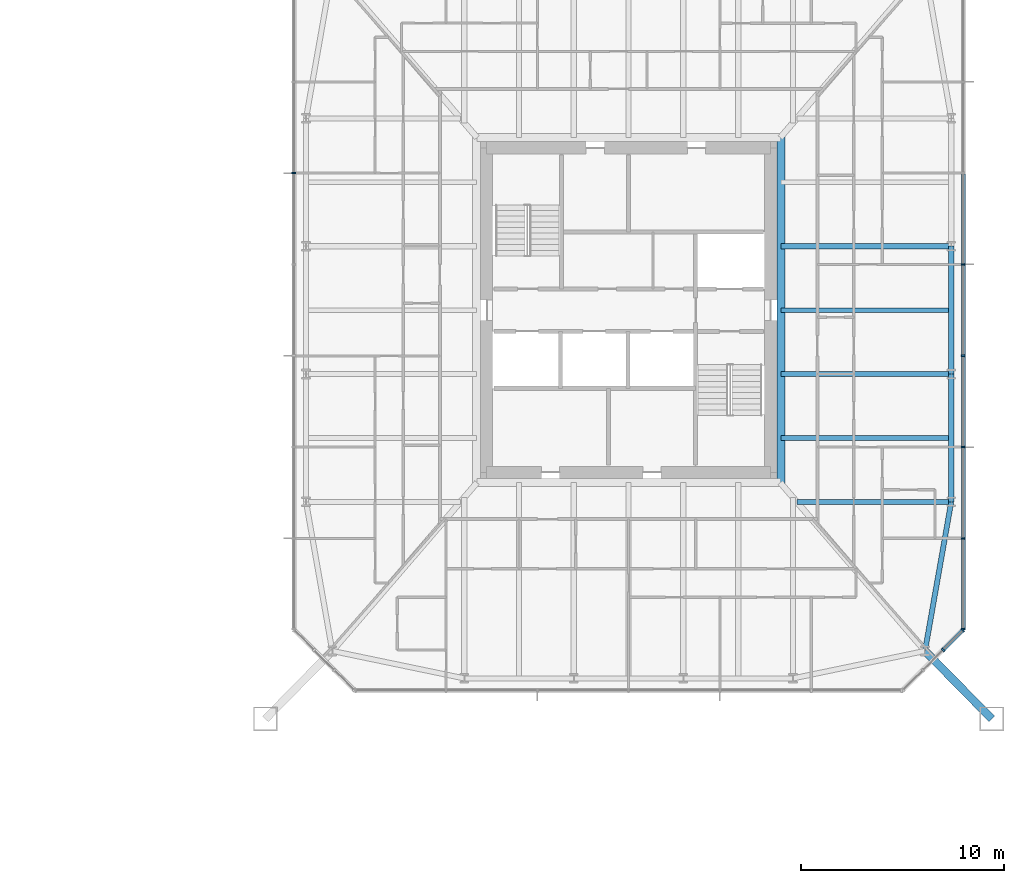
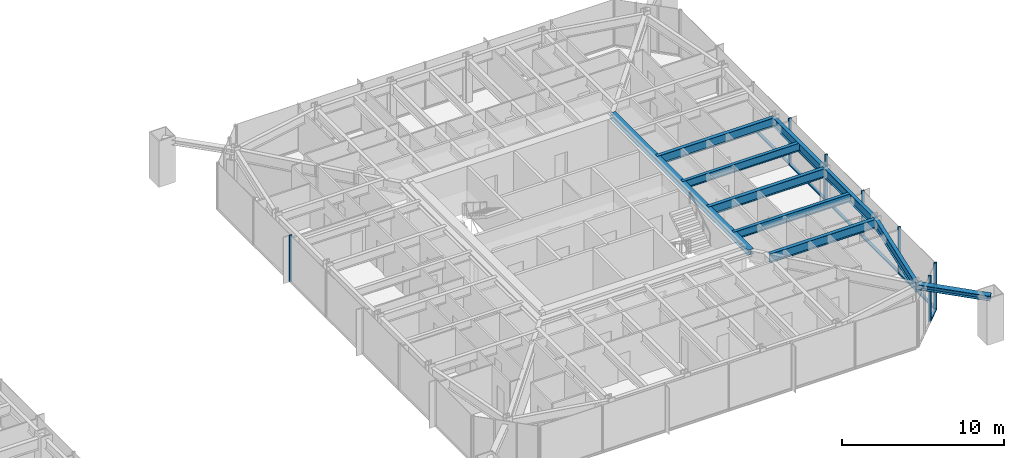
# One storey, part 9 of 26: 15 members, 9 beams, 3 elements without a shape of their own.
"""IFC4 building model written with IfcOpenShell, lengths in metres."""

from ifc_helpers import new_model, si_unit, direction, frame, origin, origin_2d, place, context, subcontext, project, spatial, rectangle, i_section, extrude, material, material_profile, profile_set, type_object, element, aggregate, save


model = new_model("IFC4")

# Units and contexts
model_context = context("Model", 3, precision=1e-05, world=origin(), true_north=direction((0.0, 1.0)))
body_context = subcontext(model_context, "Body", "Model", "MODEL_VIEW")
ifc_project = project(units=[si_unit("LENGTHUNIT", "METRE"), si_unit("AREAUNIT", "SQUARE_METRE"), si_unit("VOLUMEUNIT", "CUBIC_METRE"), si_unit("PLANEANGLEUNIT", "RADIAN"), si_unit("MASSUNIT", "GRAM", prefix="KILO")], contexts=[model_context])

# Site, building, storey
site_placement = place(None, origin())
site = spatial("IfcSite", under=ifc_project, at=site_placement, CompositionType="ELEMENT")
building_placement = place(site_placement, origin())
building = spatial("IfcBuilding", under=site, at=building_placement, Name="Iwan Alto Co-Living Towers", CompositionType="ELEMENT")
storey_placement = place(building_placement, frame((0.0, 0.0, 36.0)))
storey = spatial("IfcBuildingStorey", under=building, at=storey_placement, Name="L09", CompositionType="ELEMENT", Elevation=36.0)

# Curtain wall, members
ifc_material_1 = material(Name="Bronze aluminium unitised frame", Category="aluminium")
curtain_wall_type_1 = type_object("IfcCurtainWallType", Name="CURTAIN WALL CW-C", PredefinedType="NOTDEFINED", material=ifc_material_1)
curtain_wall_1_placement = place(storey_placement, origin())
curtain_wall_1 = element("IfcCurtainWall", 1, at=curtain_wall_1_placement, inside=storey, type_object=curtain_wall_type_1, Name="T2 curtain wall E L09", PredefinedType="NOTDEFINED")
ifc_material_2 = material(Name="Aluminium 6063-T6 bronze anodised", Category="aluminium")
ifc_material_profile_1 = material_profile(ifc_material_2, rectangle(XDim=0.199951171875, YDim=0.080078125, at=origin_2d()), Name="AL 80X200")
ifc_profile_set_1 = profile_set([ifc_material_profile_1], Name="Aluminium 6063-T6 bronze anodised")
member_type_1 = type_object("IfcMemberType", Name="CW-C MULLION 80X200", PredefinedType="MULLION", material=ifc_profile_set_1)
member_1_placement = place(storey_placement, frame((79.5, -15.7099609375, 0.0), z_axis=(0.0, 0.0, 1.0), x_axis=(-1.0, 0.0, 0.0)))
member_1 = element("IfcMember", 2, at=member_1_placement, type_object=member_type_1, Name="CW-C mullion 1", PredefinedType="MULLION", context=body_context, shape_type="SweptSolid", body=[
    extrude(rectangle(XDim=0.199951171875, YDim=0.080078125, at=origin_2d()), origin(), (0.0, 0.0, 1.0), 3.5),
])
member_2_placement = place(storey_placement, frame((79.5, -11.25, 0.0), z_axis=(0.0, 0.0, 1.0), x_axis=(-1.0, 0.0, 0.0)))
member_2 = element("IfcMember", 3, at=member_2_placement, type_object=member_type_1, Name="CW-C mullion 2", PredefinedType="MULLION", context=body_context, shape_type="SweptSolid", body=[
    extrude(rectangle(XDim=0.199951171875, YDim=0.080078125, at=origin_2d()), origin(), (0.0, 0.0, 1.0), 3.5),
])
member_3_placement = place(storey_placement, frame((79.5, -6.75, 0.0), z_axis=(0.0, 0.0, 1.0), x_axis=(-1.0, 0.0, 0.0)))
member_3 = element("IfcMember", 4, at=member_3_placement, type_object=member_type_1, Name="CW-C mullion 3", PredefinedType="MULLION", context=body_context, shape_type="SweptSolid", body=[
    extrude(rectangle(XDim=0.199951171875, YDim=0.080078125, at=origin_2d()), origin(), (0.0, 0.0, 1.0), 3.5),
])
member_4_placement = place(storey_placement, frame((79.5, -2.25, 0.0), z_axis=(0.0, 0.0, 1.0), x_axis=(-1.0, 0.0, 0.0)))
member_4 = element("IfcMember", 5, at=member_4_placement, type_object=member_type_1, Name="CW-C mullion 4", PredefinedType="MULLION", context=body_context, shape_type="SweptSolid", body=[
    extrude(rectangle(XDim=0.199951171875, YDim=0.080078125, at=origin_2d()), origin(), (0.0, 0.0, 1.0), 3.5),
])
member_5_placement = place(storey_placement, frame((79.5, 2.25, 0.0), z_axis=(0.0, 0.0, 1.0), x_axis=(-1.0, 0.0, 0.0)))
member_5 = element("IfcMember", 6, at=member_5_placement, type_object=member_type_1, Name="CW-C mullion 5", PredefinedType="MULLION", context=body_context, shape_type="SweptSolid", body=[
    extrude(rectangle(XDim=0.199951171875, YDim=0.080078125, at=origin_2d()), origin(), (0.0, 0.0, 1.0), 3.5),
])

# Curtain wall, member
curtain_wall_2_placement = place(storey_placement, origin())
curtain_wall_2 = element("IfcCurtainWall", 7, at=curtain_wall_2_placement, inside=storey, type_object=curtain_wall_type_1, Name="T2 curtain wall W L09", PredefinedType="NOTDEFINED")
member_6_placement = place(storey_placement, frame((46.5, 6.75, 0.0), z_axis=(0.0, 0.0, 1.0), x_axis=(1.0, 0.0, 0.0)))
member_6 = element("IfcMember", 8, at=member_6_placement, type_object=member_type_1, Name="CW-C mullion 3", PredefinedType="MULLION", context=body_context, shape_type="SweptSolid", body=[
    extrude(rectangle(XDim=0.199951171875, YDim=0.080078125, at=origin_2d()), origin(), (0.0, 0.0, 1.0), 3.5),
])
aggregate(curtain_wall_2, [member_6])

# Member
ifc_material_3 = material(Name="Aluminium 6063-T6 bronze anodised", Category="aluminium")
ifc_material_profile_2 = material_profile(ifc_material_3, rectangle(XDim=0.199951171875, YDim=0.10009765625, at=origin_2d()), Name="AL 200X100")
ifc_profile_set_2 = profile_set([ifc_material_profile_2], Name="Aluminium 6063-T6 bronze anodised")
member_type_2 = type_object("IfcMemberType", Name="CW-C TRANSOM 200X100", PredefinedType="USERDEFINED", material=ifc_profile_set_2)
member_7_placement = place(storey_placement, frame((79.5, -15.669921875, 0.050048828125), z_axis=(0.0, 1.0, 0.0), x_axis=(-1.0, 0.0, 0.0)))
member_7 = element("IfcMember", 9, at=member_7_placement, type_object=member_type_2, Name="CW-C transom 1.1", ObjectType="TRANSOM", PredefinedType="USERDEFINED", context=body_context, shape_type="SweptSolid", body=[
    extrude(rectangle(XDim=0.199951171875, YDim=0.10009765625, at=origin_2d()), origin(), (0.0, 0.0, 1.0), 4.3798828125),
])

member_8_placement = place(storey_placement, frame((79.5, -11.2099609375, 0.050048828125), z_axis=(0.0, 1.0, 0.0), x_axis=(-1.0, 0.0, 0.0)))
member_8 = element("IfcMember", 10, at=member_8_placement, type_object=member_type_2, Name="CW-C transom 2.1", ObjectType="TRANSOM", PredefinedType="USERDEFINED", context=body_context, shape_type="SweptSolid", body=[
    extrude(rectangle(XDim=0.199951171875, YDim=0.10009765625, at=origin_2d()), origin(), (0.0, 0.0, 1.0), 4.419921875),
])

member_9_placement = place(storey_placement, frame((79.5, -6.7099609375, 0.050048828125), z_axis=(0.0, 1.0, 0.0), x_axis=(-1.0, 0.0, 0.0)))
member_9 = element("IfcMember", 11, at=member_9_placement, type_object=member_type_2, Name="CW-C transom 3.1", ObjectType="TRANSOM", PredefinedType="USERDEFINED", context=body_context, shape_type="SweptSolid", body=[
    extrude(rectangle(XDim=0.199951171875, YDim=0.10009765625, at=origin_2d()), origin(), (0.0, 0.0, 1.0), 4.419921875),
])

member_10_placement = place(storey_placement, frame((79.5, -2.2099609375, 0.050048828125), z_axis=(0.0, 1.0, 0.0), x_axis=(-1.0, 0.0, 0.0)))
member_10 = element("IfcMember", 12, at=member_10_placement, type_object=member_type_2, Name="CW-C transom 4.1", ObjectType="TRANSOM", PredefinedType="USERDEFINED", context=body_context, shape_type="SweptSolid", body=[
    extrude(rectangle(XDim=0.199951171875, YDim=0.10009765625, at=origin_2d()), origin(), (0.0, 0.0, 1.0), 4.419921875),
])

member_11_placement = place(storey_placement, frame((79.5, 2.2900390625, 0.050048828125), z_axis=(0.0, 1.0, 0.0), x_axis=(-1.0, 0.0, 0.0)))
member_11 = element("IfcMember", 13, at=member_11_placement, type_object=member_type_2, Name="CW-C transom 5.1", ObjectType="TRANSOM", PredefinedType="USERDEFINED", context=body_context, shape_type="SweptSolid", body=[
    extrude(rectangle(XDim=0.199951171875, YDim=0.10009765625, at=origin_2d()), origin(), (0.0, 0.0, 1.0), 4.419921875),
])

aggregate(curtain_wall_1, [member_1, member_2, member_3, member_4, member_5, member_7, member_8, member_9, member_10, member_11])

# Curtain wall, members
ifc_material_4 = material(Name="Bronze aluminium unitised frame", Category="aluminium")
curtain_wall_type_2 = type_object("IfcCurtainWallType", Name="CURTAIN WALL CW-D", PredefinedType="NOTDEFINED", material=ifc_material_4)
curtain_wall_3_placement = place(storey_placement, origin())
curtain_wall_3 = element("IfcCurtainWall", 14, at=curtain_wall_3_placement, inside=storey, type_object=curtain_wall_type_2, Name="T2 chamfer curtain wall SE L09", PredefinedType="NOTDEFINED")
ifc_material_5 = material(Name="Aluminium 6063-T6 bronze anodised", Category="aluminium")
ifc_material_profile_3 = material_profile(ifc_material_5, rectangle(XDim=0.199951171875, YDim=0.080078125, at=origin_2d()), Name="AL 80X200")
ifc_profile_set_3 = profile_set([ifc_material_profile_3], Name="Aluminium 6063-T6 bronze anodised")
member_type_3 = type_object("IfcMemberType", Name="CW-D MULLION 80X200", PredefinedType="MULLION", material=ifc_profile_set_3)
member_12_placement = place(storey_placement, frame((78.5, -16.75, 0.0), z_axis=(0.0, 0.0, 1.0), x_axis=(-0.707106781187, 0.707106781187, 0.0)))
member_12 = element("IfcMember", 15, at=member_12_placement, type_object=member_type_3, Name="CW-D mullion 3", PredefinedType="MULLION", context=body_context, shape_type="SweptSolid", body=[
    extrude(rectangle(XDim=0.199951171875, YDim=0.080078125, at=origin_2d()), origin(), (0.0, 0.0, 1.0), 3.5),
])
member_13_placement = place(storey_placement, frame((79.4716796875, -15.7783203125, 0.0), z_axis=(0.0, 0.0, 1.0), x_axis=(-0.707106781187, 0.707106781187, 0.0)))
member_13 = element("IfcMember", 16, at=member_13_placement, type_object=member_type_3, Name="CW-D mullion 4", PredefinedType="MULLION", context=body_context, shape_type="SweptSolid", body=[
    extrude(rectangle(XDim=0.199951171875, YDim=0.080078125, at=origin_2d()), origin(), (0.0, 0.0, 1.0), 3.5),
])
ifc_material_6 = material(Name="Aluminium 6063-T6 bronze anodised", Category="aluminium")
ifc_material_profile_4 = material_profile(ifc_material_6, rectangle(XDim=0.199951171875, YDim=0.10009765625, at=origin_2d()), Name="AL 200X100")
ifc_profile_set_4 = profile_set([ifc_material_profile_4], Name="Aluminium 6063-T6 bronze anodised")
member_type_4 = type_object("IfcMemberType", Name="CW-D TRANSOM 200X100", PredefinedType="USERDEFINED", material=ifc_profile_set_4)
member_14_placement = place(storey_placement, frame((78.5283203125, -16.7216796875, 0.050048828125), z_axis=(0.707106781187, 0.707106781187, 0.0), x_axis=(-0.707106781187, 0.707106781187, 0.0)))
member_14 = element("IfcMember", 17, at=member_14_placement, type_object=member_type_4, Name="CW-D transom 3.1", ObjectType="TRANSOM", PredefinedType="USERDEFINED", context=body_context, shape_type="SweptSolid", body=[
    extrude(rectangle(XDim=0.199951171875, YDim=0.10009765625, at=origin_2d()), origin(), (0.0, 0.0, 1.0), 1.2939453125),
])
aggregate(curtain_wall_3, [member_12, member_13, member_14])

# Beams
ifc_material_7 = material(Name="Steel ASTM A992 Gr 50", Category="steel")
ifc_material_profile_5 = material_profile(ifc_material_7, i_section(OverallWidth=0.40380859375, OverallDepth=0.406494140625, WebThickness=0.027099609375, FlangeThickness=0.043701171875, at=origin_2d()), Name="W14X233")
ifc_profile_set_5 = profile_set([ifc_material_profile_5], Name="Steel ASTM A992 Gr 50")
beam_type_1 = type_object("IfcBeamType", Name="T2 CORE LEDGER BEAM W14X233", PredefinedType="BEAM", material=ifc_profile_set_5)
beam_1_placement = place(storey_placement, frame((70.501953125, -8.534912109375, 3.06689453125), z_axis=(0.0, 1.0, 0.0), x_axis=(-1.0, 0.0, 0.0)))
element("IfcBeam", 18, at=beam_1_placement, inside=storey, type_object=beam_type_1, Name="T2 core ledger beam E L10", PredefinedType="BEAM", context=body_context, shape_type="SweptSolid", body=[
    extrude(i_section(OverallWidth=0.40380859375, OverallDepth=0.406494140625, WebThickness=0.027099609375, FlangeThickness=0.043701171875, at=origin_2d()), origin(), (0.0, 0.0, 1.0), 17.06982421875),
])
ifc_material_8 = material(Name="Steel ASTM A992 Gr 50", Category="steel")
ifc_material_profile_6 = material_profile(ifc_material_8, i_section(OverallWidth=0.25390625, OverallDepth=0.683349609375, WebThickness=0.012451171875, FlangeThickness=0.018798828125, at=origin_2d()), Name="W27X94")
ifc_profile_set_6 = profile_set([ifc_material_profile_6], Name="Steel ASTM A992 Gr 50")
beam_type_2 = type_object("IfcBeamType", Name="T2 EDGE BEAM W27X94", PredefinedType="BEAM", material=ifc_profile_set_6)
beam_2_placement = place(storey_placement, frame((77.606201171875, -16.797119140625, 2.928466796875), z_axis=(0.173413807283, 0.98484905008, 0.0), x_axis=(-0.98484905008, 0.173413807283, 0.0)))
element("IfcBeam", 19, at=beam_2_placement, inside=storey, type_object=beam_type_2, Name="T2 edge beam CSE L10", PredefinedType="BEAM", context=body_context, shape_type="SweptSolid", body=[
    extrude(i_section(OverallWidth=0.25390625, OverallDepth=0.683349609375, WebThickness=0.012451171875, FlangeThickness=0.018798828125, at=origin_2d()), origin(), (0.0, 0.0, 1.0), 7.460205078125),
])
beam_3_placement = place(storey_placement, frame((78.89990234375, -9.449951171875, 2.928466796875), z_axis=(0.0, 1.0, 0.0), x_axis=(-1.0, 0.0, 0.0)))
element("IfcBeam", 20, at=beam_3_placement, inside=storey, type_object=beam_type_2, Name="T2 edge beam E1 L10", PredefinedType="BEAM", context=body_context, shape_type="SweptSolid", body=[
    extrude(i_section(OverallWidth=0.25390625, OverallDepth=0.683349609375, WebThickness=0.012451171875, FlangeThickness=0.018798828125, at=origin_2d()), origin(), (0.0, 0.0, 1.0), 6.300048828125),
])
beam_4_placement = place(storey_placement, frame((78.89990234375, -3.14990234375, 2.928466796875), z_axis=(0.0, 1.0, 0.0), x_axis=(-1.0, 0.0, 0.0)))
element("IfcBeam", 21, at=beam_4_placement, inside=storey, type_object=beam_type_2, Name="T2 edge beam E2 L10", PredefinedType="BEAM", context=body_context, shape_type="SweptSolid", body=[
    extrude(i_section(OverallWidth=0.25390625, OverallDepth=0.683349609375, WebThickness=0.012451171875, FlangeThickness=0.018798828125, at=origin_2d()), origin(), (0.0, 0.0, 1.0), 6.2998046875),
])

# Member
ifc_material_9 = material(Name="Steel ASTM A992 Gr 50", Category="steel")
ifc_material_profile_7 = material_profile(ifc_material_9, i_section(OverallWidth=0.393798828125, OverallDepth=0.3759765625, WebThickness=0.017333984375, FlangeThickness=0.027587890625, at=origin_2d()), Name="W14X145")
ifc_profile_set_7 = profile_set([ifc_material_profile_7], Name="Steel ASTM A992 Gr 50")
member_type_5 = type_object("IfcMemberType", Name="T2 MEGA COLUMN FLOOR TIE W14X145", PredefinedType="STRUT", material=ifc_profile_set_7)
member_15_placement = place(storey_placement, frame((80.89990234375, -20.14990234375, 3.08203125), z_axis=(-0.700793469544, 0.71336422187, 0.0), x_axis=(-0.71336422187, -0.700793469544, 0.0)))
element("IfcMember", 22, at=member_15_placement, inside=storey, type_object=member_type_5, Name="T2 mega column floor tie SE L10", PredefinedType="STRUT", context=body_context, shape_type="SweptSolid", body=[
    extrude(i_section(OverallWidth=0.393798828125, OverallDepth=0.3759765625, WebThickness=0.017333984375, FlangeThickness=0.027587890625, at=origin_2d()), origin(), (0.0, 0.0, 1.0), 4.699951171875),
])

# Beams
ifc_material_10 = material(Name="Steel ASTM A992 Gr 50", Category="steel")
ifc_material_profile_8 = material_profile(ifc_material_10, i_section(OverallWidth=0.25390625, OverallDepth=0.683349609375, WebThickness=0.012451171875, FlangeThickness=0.018798828125, at=origin_2d()), Name="W27X94")
ifc_profile_set_8 = profile_set([ifc_material_profile_8], Name="Steel ASTM A992 Gr 50")
beam_type_3 = type_object("IfcBeamType", Name="T2 RADIAL BEAM W27X94", PredefinedType="BEAM", material=ifc_profile_set_8)
beam_5_placement = place(storey_placement, frame((78.89990234375, -9.449951171875, 2.928466796875), z_axis=(-1.0, 0.0, 0.0), x_axis=(0.0, -1.0, 0.0)))
element("IfcBeam", 23, at=beam_5_placement, inside=storey, type_object=beam_type_3, Name="T2 radial beam E1 L10", PredefinedType="BEAM", context=body_context, shape_type="SweptSolid", body=[
    extrude(i_section(OverallWidth=0.25390625, OverallDepth=0.683349609375, WebThickness=0.012451171875, FlangeThickness=0.018798828125, at=origin_2d()), origin(), (0.0, 0.0, 1.0), 7.611083984375),
])
for number, where, z_axis, x_axis, name in (
    (24, (78.89990234375, -3.14990234375, 2.928466796875), (-1.0, 0.0, 0.0), (0.0, -1.0, 0.0), "T2 radial beam E2 L10"),
    (25, (78.89990234375, 3.14990234375, 2.928466796875), (-1.0, 0.0, 0.0), (0.0, -1.0, 0.0), "T2 radial beam E3 L10"),
):
    element("IfcBeam", number, at=place(storey_placement, frame(where, z_axis=z_axis, x_axis=x_axis)), inside=storey, type_object=beam_type_3, Name=name, PredefinedType="BEAM", context=body_context, shape_type="SweptSolid", body=[
        extrude(i_section(OverallWidth=0.25390625, OverallDepth=0.683349609375, WebThickness=0.012451171875, FlangeThickness=0.018798828125, at=origin_2d()), origin(), (0.0, 0.0, 1.0), 8.39794921875),
    ])
ifc_material_11 = material(Name="Steel ASTM A992 Gr 50", Category="steel")
ifc_material_profile_9 = material_profile(ifc_material_11, i_section(OverallWidth=0.228271484375, OverallDepth=0.607177734375, WebThickness=0.01123046875, FlangeThickness=0.017333984375, at=origin_2d()), Name="W24X76")
ifc_profile_set_9 = profile_set([ifc_material_profile_9], Name="Steel ASTM A992 Gr 50")
beam_type_4 = type_object("IfcBeamType", Name="T2 SECONDARY BEAM W24X76", PredefinedType="JOIST", material=ifc_profile_set_9)
for number, where, z_axis, x_axis, name in (
    (26, (78.89990234375, -6.300048828125, 2.966552734375), (-1.0, 0.0, 0.0), (0.0, -1.0, 0.0), "T2 secondary beam E1 L10"),
    (27, (78.89990234375, 0.0, 2.966552734375), (-1.0, 0.0, 0.0), (0.0, -1.0, 0.0), "T2 secondary beam E2 L10"),
):
    element("IfcBeam", number, at=place(storey_placement, frame(where, z_axis=z_axis, x_axis=x_axis)), inside=storey, type_object=beam_type_4, Name=name, PredefinedType="JOIST", context=body_context, shape_type="SweptSolid", body=[
        extrude(i_section(OverallWidth=0.228271484375, OverallDepth=0.607177734375, WebThickness=0.01123046875, FlangeThickness=0.017333984375, at=origin_2d()), origin(), (0.0, 0.0, 1.0), 8.39794921875),
    ])

save(model, "model.ifc")
